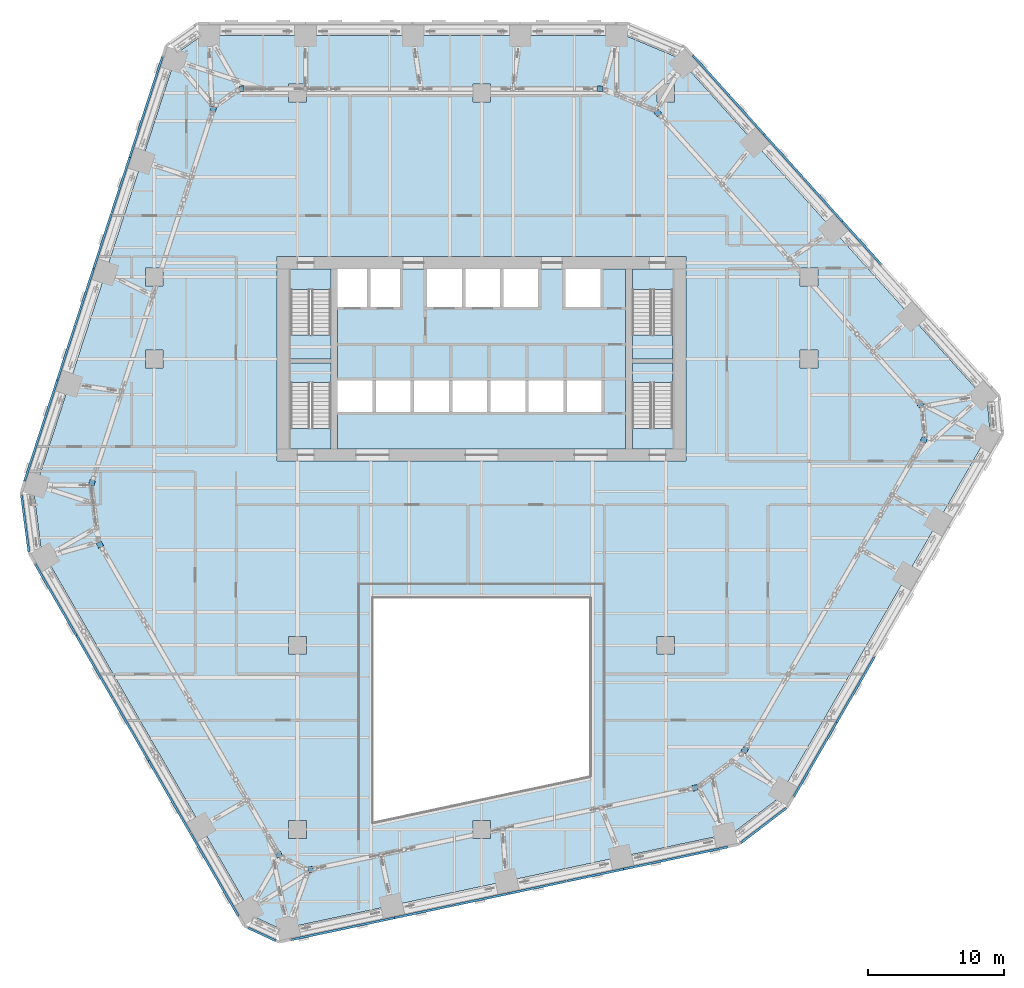
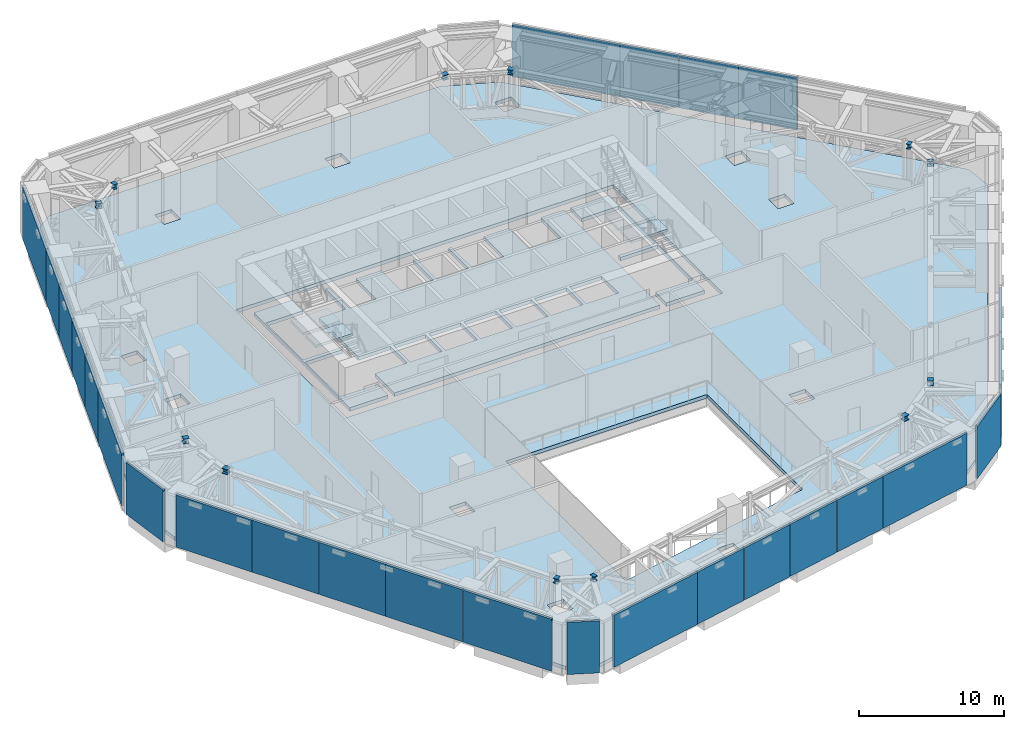
# One storey, part 19 of 36: 26 plates, 12 members, 8 slabs, 12 elements without a shape of their own.
"""IFC4 building model written with IfcOpenShell, lengths in metres."""

from ifc_helpers import new_model, si_unit, direction, frame, origin, origin_2d, place, context, subcontext, project, spatial, polyline, rectangle, i_section, outline, extrude, material, layer, layer_set, material_profile, profile_set, type_object, element, aggregate, save


model = new_model("IFC4")

# Units and contexts
model_context = context("Model", 3, precision=1e-05, world=origin(), true_north=direction((0.0, 1.0)))
body_context = subcontext(model_context, "Body", "Model", "MODEL_VIEW")
ifc_project = project(units=[si_unit("LENGTHUNIT", "METRE"), si_unit("AREAUNIT", "SQUARE_METRE"), si_unit("VOLUMEUNIT", "CUBIC_METRE"), si_unit("PLANEANGLEUNIT", "RADIAN"), si_unit("MASSUNIT", "GRAM", prefix="KILO")], contexts=[model_context])

# Site, building, storey
site_placement = place(None, origin())
site = spatial("IfcSite", under=ifc_project, at=site_placement, CompositionType="ELEMENT")
building_placement = place(site_placement, origin())
building = spatial("IfcBuilding", under=site, at=building_placement, Name="Isthmus Gate Tower", CompositionType="ELEMENT")
storey_placement = place(building_placement, frame((0.0, 0.0, 117.14990234375)))
storey = spatial("IfcBuildingStorey", under=building, at=storey_placement, Name="L28", CompositionType="ELEMENT", Elevation=117.14990234375)

# Members
ifc_material_1 = material(Name="Structural steel ASTM A913 Gr 65", Category="steel")
ifc_material_profile = material_profile(ifc_material_1, i_section(OverallWidth=0.40966796875, OverallDepth=0.42529296875, WebThickness=0.033203125, FlangeThickness=0.052490234375, at=origin_2d()), Name="W14X283")
ifc_profile_set = profile_set([ifc_material_profile], Name="Structural steel ASTM A913 Gr 65")
member_type = type_object("IfcMemberType", Name="TRANSFER TRUSS CHORD W14X283", PredefinedType="CHORD", material=ifc_profile_set)
member_1_placement = place(storey_placement, frame((12.787353515625, 25.68310546875, 3.887451171875), z_axis=(0.668826194331, -0.743418806445, 0.0), x_axis=(0.743418806445, 0.668826194331, 0.0)))
element("IfcMember", 1, at=member_1_placement, inside=storey, type_object=member_type, Name="str-ring01-L28-13", PredefinedType="CHORD", context=body_context, shape_type="SweptSolid", body=[
    extrude(i_section(OverallWidth=0.40966796875, OverallDepth=0.42529296875, WebThickness=0.033203125, FlangeThickness=0.052490234375, at=origin_2d()), origin(), (0.0, 0.0, 1.0), 0.389404296875),
])
member_2_placement = place(storey_placement, frame((32.0966796875, 4.23779296875, 3.887451171875), z_axis=(0.669264945886, -0.743023843634, 0.0), x_axis=(0.743023843634, 0.669264945886, 0.0)))
element("IfcMember", 2, at=member_2_placement, inside=storey, type_object=member_type, Name="str-ring01-L28-18", PredefinedType="CHORD", context=body_context, shape_type="SweptSolid", body=[
    extrude(i_section(OverallWidth=0.40966796875, OverallDepth=0.42529296875, WebThickness=0.033203125, FlangeThickness=0.052490234375, at=origin_2d()), origin(), (0.0, 0.0, 1.0), 0.314453125),
])
member_3_placement = place(storey_placement, frame((32.5126953125, 1.713623046875, 3.887451171875), z_axis=(-0.500090215447, -0.865973311606, 0.0), x_axis=(0.865973311606, -0.500090215447, 0.0)))
element("IfcMember", 3, at=member_3_placement, inside=storey, type_object=member_type, Name="str-ring03-L28-15", PredefinedType="CHORD", context=body_context, shape_type="SweptSolid", body=[
    extrude(i_section(OverallWidth=0.40966796875, OverallDepth=0.42529296875, WebThickness=0.033203125, FlangeThickness=0.052490234375, at=origin_2d()), origin(), (0.0, 0.0, 1.0), 0.32568359375),
])
member_4_placement = place(storey_placement, frame((19.39697265625, -21.00341796875, 3.887451171875), z_axis=(-0.499808815652, -0.866135755986, 0.0), x_axis=(0.866135755986, -0.499808815652, 0.0)))
element("IfcMember", 4, at=member_4_placement, inside=storey, type_object=member_type, Name="str-ring03-L28-20", PredefinedType="CHORD", context=body_context, shape_type="SweptSolid", body=[
    extrude(i_section(OverallWidth=0.40966796875, OverallDepth=0.42529296875, WebThickness=0.033203125, FlangeThickness=0.052490234375, at=origin_2d()), origin(), (0.0, 0.0, 1.0), 0.407958984375),
])
member_5_placement = place(storey_placement, frame((15.8486328125, -23.91552734375, 3.887451171875), z_axis=(-0.978122208358, -0.208031116704, 0.0), x_axis=(0.208031116704, -0.978122208358, 0.0)))
element("IfcMember", 5, at=member_5_placement, inside=storey, type_object=member_type, Name="str-ring05-L28-13", PredefinedType="CHORD", context=body_context, shape_type="SweptSolid", body=[
    extrude(i_section(OverallWidth=0.40966796875, OverallDepth=0.42529296875, WebThickness=0.033203125, FlangeThickness=0.052490234375, at=origin_2d()), origin(), (0.0, 0.0, 1.0), 0.3896484375),
])
member_6_placement = place(storey_placement, frame((-12.378173828125, -29.91552734375, 3.887451171875), z_axis=(-0.978277086413, -0.207301573073, 0.0), x_axis=(0.207301573073, -0.978277086413, 0.0)))
element("IfcMember", 6, at=member_6_placement, inside=storey, type_object=member_type, Name="str-ring05-L28-18", PredefinedType="CHORD", context=body_context, shape_type="SweptSolid", body=[
    extrude(i_section(OverallWidth=0.40966796875, OverallDepth=0.42529296875, WebThickness=0.033203125, FlangeThickness=0.052490234375, at=origin_2d()), origin(), (0.0, 0.0, 1.0), 0.314453125),
])
member_7_placement = place(storey_placement, frame((-14.772216796875, -29.013671875, 3.887451171875), z_axis=(-0.500090215447, 0.865973311606, 0.0), x_axis=(-0.865973311606, -0.500090215447, 0.0)))
element("IfcMember", 7, at=member_7_placement, inside=storey, type_object=member_type, Name="str-ring07-L28-13", PredefinedType="CHORD", context=body_context, shape_type="SweptSolid", body=[
    extrude(i_section(OverallWidth=0.40966796875, OverallDepth=0.42529296875, WebThickness=0.033203125, FlangeThickness=0.052490234375, at=origin_2d()), origin(), (0.0, 0.0, 1.0), 0.32568359375),
])
member_8_placement = place(storey_placement, frame((-27.887939453125, -6.296630859375, 3.887451171875), z_axis=(-0.499808815652, 0.866135755986, 0.0), x_axis=(-0.866135755986, -0.499808815652, 0.0)))
element("IfcMember", 8, at=member_8_placement, inside=storey, type_object=member_type, Name="str-ring07-L28-18", PredefinedType="CHORD", context=body_context, shape_type="SweptSolid", body=[
    extrude(i_section(OverallWidth=0.40966796875, OverallDepth=0.42529296875, WebThickness=0.033203125, FlangeThickness=0.052490234375, at=origin_2d()), origin(), (0.0, 0.0, 1.0), 0.407958984375),
])
member_9_placement = place(storey_placement, frame((-28.6357421875, -1.767333984375, 3.887451171875), z_axis=(0.309071896595, 0.95103867573, 0.0), x_axis=(-0.95103867573, 0.309071896595, 0.0)))
element("IfcMember", 9, at=member_9_placement, inside=storey, type_object=member_type, Name="str-ring09-L28-13", PredefinedType="CHORD", context=body_context, shape_type="SweptSolid", body=[
    extrude(i_section(OverallWidth=0.40966796875, OverallDepth=0.42529296875, WebThickness=0.033203125, FlangeThickness=0.052490234375, at=origin_2d()), origin(), (0.0, 0.0, 1.0), 0.389404296875),
])
member_10_placement = place(storey_placement, frame((-19.718505859375, 25.677490234375, 3.887451171875), z_axis=(0.308770295308, 0.95113663831, 0.0), x_axis=(-0.95113663831, 0.308770295308, 0.0)))
element("IfcMember", 10, at=member_10_placement, inside=storey, type_object=member_type, Name="str-ring09-L28-18", PredefinedType="CHORD", context=body_context, shape_type="SweptSolid", body=[
    extrude(i_section(OverallWidth=0.40966796875, OverallDepth=0.42529296875, WebThickness=0.033203125, FlangeThickness=0.052490234375, at=origin_2d()), origin(), (0.0, 0.0, 1.0), 0.314697265625),
])
member_11_placement = place(storey_placement, frame((-17.740478515625, 27.300048828125, 3.887451171875), z_axis=(1.0, 0.0, 0.0), x_axis=(0.0, 1.0, 0.0)))
element("IfcMember", 11, at=member_11_placement, inside=storey, type_object=member_type, Name="str-ring11-L28-15", PredefinedType="CHORD", context=body_context, shape_type="SweptSolid", body=[
    extrude(i_section(OverallWidth=0.40966796875, OverallDepth=0.42529296875, WebThickness=0.033203125, FlangeThickness=0.052490234375, at=origin_2d()), origin(), (0.0, 0.0, 1.0), 0.32568359375),
])
member_12_placement = place(storey_placement, frame((8.490966796875, 27.300048828125, 3.887451171875), z_axis=(1.0, 0.0, 0.0), x_axis=(0.0, 1.0, 0.0)))
element("IfcMember", 12, at=member_12_placement, inside=storey, type_object=member_type, Name="str-ring11-L28-20", PredefinedType="CHORD", context=body_context, shape_type="SweptSolid", body=[
    extrude(i_section(OverallWidth=0.40966796875, OverallDepth=0.42529296875, WebThickness=0.033203125, FlangeThickness=0.052490234375, at=origin_2d()), origin(), (0.0, 0.0, 1.0), 0.407958984375),
])

# Slabs
ifc_material_2 = material(Name="Concrete f'c 40 MPa", Category="concrete")
ifc_layer_1 = layer(ifc_material_2, 0.300048828125)
ifc_layer_set_1 = layer_set([ifc_layer_1], Name="CORE FLOOR SLAB 300")
slab_type_1 = type_object("IfcSlabType", Name="CORE FLOOR SLAB 300", PredefinedType="FLOOR", material=ifc_layer_set_1)
slab_1_placement = place(storey_placement, frame((0.0, 0.0, -0.2998046875)))
element("IfcSlab", 13, at=slab_1_placement, inside=storey, type_object=slab_type_1, Name="L28 core floor", PredefinedType="FLOOR", context=body_context, shape_type="SweptSolid", body=[
    extrude(outline(polyline([(-11.050048828125, 0.89990234375), (-11.050048828125, 2.402099609375), (-14.0, 2.402099609375), (-14.0, 7.199951171875), (-11.050048828125, 7.199951171875), (-11.050048828125, 7.5), (-14.0, 7.5), (-14.0, 12.597900390625), (-11.050048828125, 12.597900390625), (-11.050048828125, 14.10009765625), (-14.10009765625, 14.10009765625), (-14.10009765625, 0.89990234375), (-11.050048828125, 0.89990234375)])), origin(), (0.0, 0.0, 1.0), 0.2998046875),
])
slab_2_placement = place(storey_placement, frame((0.0, 0.0, -0.2998046875)))
element("IfcSlab", 14, at=slab_2_placement, inside=storey, type_object=slab_type_1, Name="L28 core floor", PredefinedType="FLOOR", context=body_context, shape_type="SweptSolid", body=[
    extrude(outline(polyline([(10.550048828125, 14.10009765625), (8.699951171875, 14.10009765625), (8.699951171875, 11.300048828125), (6.14990234375, 11.300048828125), (6.14990234375, 14.10009765625), (4.14990234375, 14.10009765625), (4.14990234375, 11.300048828125), (1.60009765625, 11.300048828125), (1.60009765625, 14.10009765625), (1.35009765625, 14.10009765625), (1.35009765625, 11.300048828125), (-1.199951171875, 11.300048828125), (-1.199951171875, 14.10009765625), (-1.449951171875, 14.10009765625), (-1.449951171875, 11.300048828125), (-4.0, 11.300048828125), (-4.0, 14.10009765625), (-6.0, 14.10009765625), (-6.0, 11.300048828125), (-8.14990234375, 11.300048828125), (-8.14990234375, 14.10009765625), (-8.39990234375, 14.10009765625), (-8.39990234375, 11.300048828125), (-10.550048828125, 11.300048828125), (-10.550048828125, 5.89990234375), (-8.0, 5.89990234375), (-8.0, 3.60009765625), (-10.550048828125, 3.60009765625), (-10.550048828125, 0.89990234375), (10.550048828125, 0.89990234375), (10.550048828125, 14.10009765625)]), holes=[polyline([(-5.199951171875, 5.89990234375), (-5.199951171875, 3.60009765625), (-7.75, 3.60009765625), (-7.75, 5.89990234375), (-5.199951171875, 5.89990234375)]), polyline([(-2.39990234375, 5.89990234375), (-2.39990234375, 3.60009765625), (-4.949951171875, 3.60009765625), (-4.949951171875, 5.89990234375), (-2.39990234375, 5.89990234375)]), polyline([(0.39990234375, 5.89990234375), (0.39990234375, 3.60009765625), (-2.14990234375, 3.60009765625), (-2.14990234375, 5.89990234375), (0.39990234375, 5.89990234375)]), polyline([(3.199951171875, 5.89990234375), (3.199951171875, 3.60009765625), (0.64990234375, 3.60009765625), (0.64990234375, 5.89990234375), (3.199951171875, 5.89990234375)]), polyline([(6.0, 5.89990234375), (6.0, 3.60009765625), (3.449951171875, 3.60009765625), (3.449951171875, 5.89990234375), (6.0, 5.89990234375)]), polyline([(8.800048828125, 5.89990234375), (8.800048828125, 3.60009765625), (6.25, 3.60009765625), (6.25, 5.89990234375), (8.800048828125, 5.89990234375)])]), origin(), (0.0, 0.0, 1.0), 0.2998046875),
])
slab_3_placement = place(storey_placement, frame((0.0, 0.0, -0.2998046875)))
element("IfcSlab", 15, at=slab_3_placement, inside=storey, type_object=slab_type_1, Name="L28 core floor", PredefinedType="FLOOR", context=body_context, shape_type="SweptSolid", body=[
    extrude(outline(polyline([(11.050048828125, 14.10009765625), (11.050048828125, 12.597900390625), (14.0, 12.597900390625), (14.0, 7.5), (11.050048828125, 7.5), (11.050048828125, 7.199951171875), (14.0, 7.199951171875), (14.0, 2.402099609375), (11.050048828125, 2.402099609375), (11.050048828125, 0.89990234375), (14.10009765625, 0.89990234375), (14.10009765625, 14.10009765625), (11.050048828125, 14.10009765625)])), origin(), (0.0, 0.0, 1.0), 0.2998046875),
])

# Curtain wall, plates
ifc_material_3 = material(Name="Aluminium, pale champagne anodised", Category="aluminium")
ifc_layer_2 = layer(ifc_material_3, 0.199951171875)
ifc_layer_set_2 = layer_set([ifc_layer_2], Name="CW-2 LOUVRE CURTAIN WALL 200 DEEP")
curtain_wall_type = type_object("IfcCurtainWallType", Name="CW-2 LOUVRE CURTAIN WALL 200 DEEP", PredefinedType="NOTDEFINED", material=ifc_layer_set_2)
curtain_wall_1_placement = place(storey_placement, origin())
curtain_wall_1 = element("IfcCurtainWall", 16, at=curtain_wall_1_placement, inside=storey, type_object=curtain_wall_type, Name="CW-2 NW L28", PredefinedType="NOTDEFINED")
ifc_material_4 = material(Name="Aluminium louvre blades, pale champagne anodised", Category="aluminium")
ifc_layer_3 = layer(ifc_material_4, 0.159912109375)
ifc_layer_set_3 = layer_set([ifc_layer_3], Name="CW-2 LOUVRE PANEL 160")
plate_type = type_object("IfcPlateType", Name="CW-2 LOUVRE PANEL 160", PredefinedType="CURTAIN_PANEL", material=ifc_layer_set_3)
plate_1_placement = place(storey_placement, frame((-24.603271484375, 25.95849609375, 0.000244140625), z_axis=(0.0, 0.0, 1.0), x_axis=(-0.309016994375, -0.951056516295, 0.0)))
plate_1 = element("IfcPlate", 17, at=plate_1_placement, type_object=plate_type, Name="CW-2 louvre panel", PredefinedType="CURTAIN_PANEL", context=body_context, shape_type="SweptSolid", body=[
    extrude(rectangle(XDim=7.729248046875, YDim=0.159912109375, at=origin_2d()), origin(), (0.0, 0.0, 1.0), 4.3798828125),
])
plate_2_placement = place(storey_placement, frame((-26.4609375, 20.24072265625, 0.000244140625), z_axis=(0.0, 0.0, 1.0), x_axis=(-0.309016994375, -0.951056516295, 0.0)))
plate_2 = element("IfcPlate", 18, at=plate_2_placement, type_object=plate_type, Name="CW-2 louvre panel", PredefinedType="CURTAIN_PANEL", context=body_context, shape_type="SweptSolid", body=[
    extrude(rectangle(XDim=4.294677734375, YDim=0.159912109375, at=origin_2d()), origin(), (0.0, 0.0, 1.0), 4.3798828125),
])
plate_3_placement = place(storey_placement, frame((-27.79736328125, 16.1279296875, 0.000244140625), z_axis=(0.0, 0.0, 1.0), x_axis=(-0.309016994375, -0.951056516295, 0.0)))
plate_3 = element("IfcPlate", 19, at=plate_3_placement, type_object=plate_type, Name="CW-2 louvre panel", PredefinedType="CURTAIN_PANEL", context=body_context, shape_type="SweptSolid", body=[
    extrude(rectangle(XDim=4.234619140625, YDim=0.159912109375, at=origin_2d()), origin(), (0.0, 0.0, 1.0), 4.3798828125),
])
plate_4_placement = place(storey_placement, frame((-29.115234375, 12.07177734375, 0.000244140625), z_axis=(0.0, 0.0, 1.0), x_axis=(-0.309016994375, -0.951056516295, 0.0)))
plate_4 = element("IfcPlate", 20, at=plate_4_placement, type_object=plate_type, Name="CW-2 louvre panel", PredefinedType="CURTAIN_PANEL", context=body_context, shape_type="SweptSolid", body=[
    extrude(rectangle(XDim=4.294677734375, YDim=0.159912109375, at=origin_2d()), origin(), (0.0, 0.0, 1.0), 4.3798828125),
])
plate_5_placement = place(storey_placement, frame((-30.45166015625, 7.958984375, 0.000244140625), z_axis=(0.0, 0.0, 1.0), x_axis=(-0.309016994375, -0.951056516295, 0.0)))
plate_5 = element("IfcPlate", 21, at=plate_5_placement, type_object=plate_type, Name="CW-2 louvre panel", PredefinedType="CURTAIN_PANEL", context=body_context, shape_type="SweptSolid", body=[
    extrude(rectangle(XDim=4.234619140625, YDim=0.159912109375, at=origin_2d()), origin(), (0.0, 0.0, 1.0), 4.3798828125),
])
plate_6_placement = place(storey_placement, frame((-32.3095703125, 2.2412109375, 0.000244140625), z_axis=(0.0, 0.0, 1.0), x_axis=(-0.309016994375, -0.951056516295, 0.0)))
plate_6 = element("IfcPlate", 22, at=plate_6_placement, type_object=plate_type, Name="CW-2 louvre panel", PredefinedType="CURTAIN_PANEL", context=body_context, shape_type="SweptSolid", body=[
    extrude(rectangle(XDim=7.789306640625, YDim=0.159912109375, at=origin_2d()), origin(), (0.0, 0.0, 1.0), 4.3798828125),
])
aggregate(curtain_wall_1, [plate_1, plate_2, plate_3, plate_4, plate_5, plate_6])

# Curtain wall, plate
curtain_wall_2_placement = place(storey_placement, origin())
curtain_wall_2 = element("IfcCurtainWall", 23, at=curtain_wall_2_placement, inside=storey, type_object=curtain_wall_type, Name="CW-2 NW-SW L28", PredefinedType="NOTDEFINED")
plate_7_placement = place(storey_placement, frame((-33.468994140625, -4.550537109375, 0.000244140625), z_axis=(0.0, 0.0, 1.0), x_axis=(0.129164534, -0.991623175988, 0.0)))
plate_7 = element("IfcPlate", 24, at=plate_7_placement, type_object=plate_type, Name="CW-2 louvre panel", PredefinedType="CURTAIN_PANEL", context=body_context, shape_type="SweptSolid", body=[
    extrude(rectangle(XDim=4.181396484375, YDim=0.159912109375, at=origin_2d()), origin(), (0.0, 0.0, 1.0), 4.3798828125),
])
aggregate(curtain_wall_2, [plate_7])

# Curtain wall, plates
curtain_wall_3_placement = place(storey_placement, origin())
curtain_wall_3 = element("IfcCurtainWall", 25, at=curtain_wall_3_placement, inside=storey, type_object=curtain_wall_type, Name="CW-2 SW L28", PredefinedType="NOTDEFINED")
plate_8_placement = place(storey_placement, frame((-31.2255859375, -10.15576171875, 0.000244140625), z_axis=(0.0, 0.0, 1.0), x_axis=(0.5, -0.866025403784, 0.0)))
plate_8 = element("IfcPlate", 26, at=plate_8_placement, type_object=plate_type, Name="CW-2 louvre panel", PredefinedType="CURTAIN_PANEL", context=body_context, shape_type="SweptSolid", body=[
    extrude(rectangle(XDim=6.048583984375, YDim=0.159912109375, at=origin_2d()), origin(), (0.0, 0.0, 1.0), 4.3798828125),
])
plate_9_placement = place(storey_placement, frame((-28.38623046875, -15.07373046875, 0.000244140625), z_axis=(0.0, 0.0, 1.0), x_axis=(0.5, -0.866025403784, 0.0)))
plate_9 = element("IfcPlate", 27, at=plate_9_placement, type_object=plate_type, Name="CW-2 louvre panel", PredefinedType="CURTAIN_PANEL", context=body_context, shape_type="SweptSolid", body=[
    extrude(rectangle(XDim=5.30859375, YDim=0.159912109375, at=origin_2d()), origin(), (0.0, 0.0, 1.0), 4.3798828125),
])
plate_10_placement = place(storey_placement, frame((-25.716796875, -19.697021484375, 0.000244140625), z_axis=(0.0, 0.0, 1.0), x_axis=(0.5, -0.866025403784, 0.0)))
plate_10 = element("IfcPlate", 28, at=plate_10_placement, type_object=plate_type, Name="CW-2 louvre panel", PredefinedType="CURTAIN_PANEL", context=body_context, shape_type="SweptSolid", body=[
    extrude(rectangle(XDim=5.24853515625, YDim=0.159912109375, at=origin_2d()), origin(), (0.0, 0.0, 1.0), 4.3798828125),
])
plate_11_placement = place(storey_placement, frame((-22.877685546875, -24.614990234375, 0.000244140625), z_axis=(0.0, 0.0, 1.0), x_axis=(0.5, -0.866025403784, 0.0)))
plate_11 = element("IfcPlate", 29, at=plate_11_placement, type_object=plate_type, Name="CW-2 louvre panel", PredefinedType="CURTAIN_PANEL", context=body_context, shape_type="SweptSolid", body=[
    extrude(rectangle(XDim=6.108642578125, YDim=0.159912109375, at=origin_2d()), origin(), (0.0, 0.0, 1.0), 4.3798828125),
])
plate_12_placement = place(storey_placement, frame((-19.574462890625, -30.3359375, 0.000244140625), z_axis=(0.0, 0.0, 1.0), x_axis=(0.5, -0.866025403784, 0.0)))
plate_12 = element("IfcPlate", 30, at=plate_12_placement, type_object=plate_type, Name="CW-2 louvre panel", PredefinedType="CURTAIN_PANEL", context=body_context, shape_type="SweptSolid", body=[
    extrude(rectangle(XDim=6.983642578125, YDim=0.159912109375, at=origin_2d()), origin(), (0.0, 0.0, 1.0), 4.3798828125),
])
aggregate(curtain_wall_3, [plate_8, plate_9, plate_10, plate_11, plate_12])

# Curtain wall, plate
curtain_wall_4_placement = place(storey_placement, origin())
curtain_wall_4 = element("IfcCurtainWall", 31, at=curtain_wall_4_placement, inside=storey, type_object=curtain_wall_type, Name="CW-2 SW-S L28", PredefinedType="NOTDEFINED")
plate_13_placement = place(storey_placement, frame((-16.104736328125, -34.690673828125, 0.000244140625), z_axis=(0.0, 0.0, 1.0), x_axis=(0.907256261367, -0.420578264073, 0.0)))
plate_13 = element("IfcPlate", 32, at=plate_13_placement, type_object=plate_type, Name="CW-2 louvre panel", PredefinedType="CURTAIN_PANEL", context=body_context, shape_type="SweptSolid", body=[
    extrude(rectangle(XDim=2.258544921875, YDim=0.159912109375, at=origin_2d()), origin(), (0.0, 0.0, 1.0), 4.3798828125),
])
aggregate(curtain_wall_4, [plate_13])

# Curtain wall, plates
curtain_wall_5_placement = place(storey_placement, origin())
curtain_wall_5 = element("IfcCurtainWall", 33, at=curtain_wall_5_placement, inside=storey, type_object=curtain_wall_type, Name="CW-2 S L28", PredefinedType="NOTDEFINED")
plate_14_placement = place(storey_placement, frame((-10.17919921875, -34.286376953125, 0.000244140625), z_axis=(0.0, 0.0, 1.0), x_axis=(0.978147600734, 0.207911690818, 0.0)))
plate_14 = element("IfcPlate", 34, at=plate_14_placement, type_object=plate_type, Name="CW-2 louvre panel", PredefinedType="CURTAIN_PANEL", context=body_context, shape_type="SweptSolid", body=[
    extrude(rectangle(XDim=7.729248046875, YDim=0.159912109375, at=origin_2d()), origin(), (0.0, 0.0, 1.0), 4.3798828125),
])
plate_15_placement = place(storey_placement, frame((-4.298583984375, -33.036376953125, 0.000244140625), z_axis=(0.0, 0.0, 1.0), x_axis=(0.978147600734, 0.207911690818, 0.0)))
plate_15 = element("IfcPlate", 35, at=plate_15_placement, type_object=plate_type, Name="CW-2 louvre panel", PredefinedType="CURTAIN_PANEL", context=body_context, shape_type="SweptSolid", body=[
    extrude(rectangle(XDim=4.294677734375, YDim=0.159912109375, at=origin_2d()), origin(), (0.0, 0.0, 1.0), 4.3798828125),
])
plate_16_placement = place(storey_placement, frame((-0.068359375, -32.13720703125, 0.000244140625), z_axis=(0.0, 0.0, 1.0), x_axis=(0.978147600734, 0.207911690818, 0.0)))
plate_16 = element("IfcPlate", 36, at=plate_16_placement, type_object=plate_type, Name="CW-2 louvre panel", PredefinedType="CURTAIN_PANEL", context=body_context, shape_type="SweptSolid", body=[
    extrude(rectangle(XDim=4.234619140625, YDim=0.159912109375, at=origin_2d()), origin(), (0.0, 0.0, 1.0), 4.3798828125),
])
plate_17_placement = place(storey_placement, frame((4.10302734375, -31.25048828125, 0.000244140625), z_axis=(0.0, 0.0, 1.0), x_axis=(0.978147600734, 0.207911690818, 0.0)))
plate_17 = element("IfcPlate", 37, at=plate_17_placement, type_object=plate_type, Name="CW-2 louvre panel", PredefinedType="CURTAIN_PANEL", context=body_context, shape_type="SweptSolid", body=[
    extrude(rectangle(XDim=4.294677734375, YDim=0.159912109375, at=origin_2d()), origin(), (0.0, 0.0, 1.0), 4.3798828125),
])
plate_18_placement = place(storey_placement, frame((8.333251953125, -30.351318359375, 0.000244140625), z_axis=(0.0, 0.0, 1.0), x_axis=(0.978147600734, 0.207911690818, 0.0)))
plate_18 = element("IfcPlate", 38, at=plate_18_placement, type_object=plate_type, Name="CW-2 louvre panel", PredefinedType="CURTAIN_PANEL", context=body_context, shape_type="SweptSolid", body=[
    extrude(rectangle(XDim=4.234619140625, YDim=0.159912109375, at=origin_2d()), origin(), (0.0, 0.0, 1.0), 4.3798828125),
])
plate_19_placement = place(storey_placement, frame((14.2138671875, -29.101318359375, 0.000244140625), z_axis=(0.0, 0.0, 1.0), x_axis=(0.978147600734, 0.207911690818, 0.0)))
plate_19 = element("IfcPlate", 39, at=plate_19_placement, type_object=plate_type, Name="CW-2 louvre panel", PredefinedType="CURTAIN_PANEL", context=body_context, shape_type="SweptSolid", body=[
    extrude(rectangle(XDim=7.789306640625, YDim=0.159912109375, at=origin_2d()), origin(), (0.0, 0.0, 1.0), 4.3798828125),
])
aggregate(curtain_wall_5, [plate_14, plate_15, plate_16, plate_17, plate_18, plate_19])

# Curtain wall, plate
curtain_wall_6_placement = place(storey_placement, origin())
curtain_wall_6 = element("IfcCurtainWall", 40, at=curtain_wall_6_placement, inside=storey, type_object=curtain_wall_type, Name="CW-2 S-SE L28", PredefinedType="NOTDEFINED")
plate_20_placement = place(storey_placement, frame((20.67529296875, -26.709716796875, 0.000244140625), z_axis=(0.0, 0.0, 1.0), x_axis=(0.794188594387, 0.607671355706, 0.0)))
plate_20 = element("IfcPlate", 41, at=plate_20_placement, type_object=plate_type, Name="CW-2 louvre panel", PredefinedType="CURTAIN_PANEL", context=body_context, shape_type="SweptSolid", body=[
    extrude(rectangle(XDim=4.181396484375, YDim=0.159912109375, at=origin_2d()), origin(), (0.0, 0.0, 1.0), 4.3798828125),
])
aggregate(curtain_wall_6, [plate_20])

# Curtain wall, plates
curtain_wall_7_placement = place(storey_placement, origin())
curtain_wall_7 = element("IfcCurtainWall", 42, at=curtain_wall_7_placement, inside=storey, type_object=curtain_wall_type, Name="CW-2 SE L28", PredefinedType="NOTDEFINED")
plate_21_placement = place(storey_placement, frame((24.46533203125, -21.864501953125, 0.000244140625), z_axis=(0.0, 0.0, 1.0), x_axis=(0.5, 0.866025403784, 0.0)))
plate_21 = element("IfcPlate", 43, at=plate_21_placement, type_object=plate_type, Name="CW-2 louvre panel", PredefinedType="CURTAIN_PANEL", context=body_context, shape_type="SweptSolid", body=[
    extrude(rectangle(XDim=6.278564453125, YDim=0.159912109375, at=origin_2d()), origin(), (0.0, 0.0, 1.0), 4.3798828125),
])
plate_22_placement = place(storey_placement, frame((27.419677734375, -16.74755859375, 0.000244140625), z_axis=(0.0, 0.0, 1.0), x_axis=(0.5, 0.866025403784, 0.0)))
plate_22 = element("IfcPlate", 44, at=plate_22_placement, type_object=plate_type, Name="CW-2 louvre panel", PredefinedType="CURTAIN_PANEL", context=body_context, shape_type="SweptSolid", body=[
    extrude(rectangle(XDim=5.53857421875, YDim=0.159912109375, at=origin_2d()), origin(), (0.0, 0.0, 1.0), 4.3798828125),
])
aggregate(curtain_wall_7, [plate_21, plate_22])

curtain_wall_8_placement = place(storey_placement, origin())
curtain_wall_8 = element("IfcCurtainWall", 45, at=curtain_wall_8_placement, inside=storey, type_object=curtain_wall_type, Name="CW-2 NE L28", PredefinedType="NOTDEFINED")
plate_23_placement = place(storey_placement, frame((27.86572265625, 16.00927734375, 0.000244140625), z_axis=(0.0, 0.0, 1.0), x_axis=(-0.669130606359, 0.743144825477, 0.0)))
plate_23 = element("IfcPlate", 46, at=plate_23_placement, type_object=plate_type, Name="CW-2 louvre panel", PredefinedType="CURTAIN_PANEL", context=body_context, shape_type="SweptSolid", body=[
    extrude(rectangle(XDim=4.234619140625, YDim=0.159912109375, at=origin_2d()), origin(), (0.0, 0.0, 1.0), 4.3798828125),
])
plate_24_placement = place(storey_placement, frame((25.01220703125, 19.1787109375, 0.000244140625), z_axis=(0.0, 0.0, 1.0), x_axis=(-0.669130606359, 0.743144825477, 0.0)))
plate_24 = element("IfcPlate", 47, at=plate_24_placement, type_object=plate_type, Name="CW-2 louvre panel", PredefinedType="CURTAIN_PANEL", context=body_context, shape_type="SweptSolid", body=[
    extrude(rectangle(XDim=4.294677734375, YDim=0.159912109375, at=origin_2d()), origin(), (0.0, 0.0, 1.0), 4.3798828125),
])
plate_25_placement = place(storey_placement, frame((22.118408203125, 22.392578125, 0.000244140625), z_axis=(0.0, 0.0, 1.0), x_axis=(-0.669130606359, 0.743144825477, 0.0)))
plate_25 = element("IfcPlate", 48, at=plate_25_placement, type_object=plate_type, Name="CW-2 louvre panel", PredefinedType="CURTAIN_PANEL", context=body_context, shape_type="SweptSolid", body=[
    extrude(rectangle(XDim=4.234619140625, YDim=0.159912109375, at=origin_2d()), origin(), (0.0, 0.0, 1.0), 4.3798828125),
])
plate_26_placement = place(storey_placement, frame((18.095703125, 26.8603515625, 0.000244140625), z_axis=(0.0, 0.0, 1.0), x_axis=(-0.669130606359, 0.743144825477, 0.0)))
plate_26 = element("IfcPlate", 49, at=plate_26_placement, type_object=plate_type, Name="CW-2 louvre panel", PredefinedType="CURTAIN_PANEL", context=body_context, shape_type="SweptSolid", body=[
    extrude(rectangle(XDim=7.789306640625, YDim=0.159912109375, at=origin_2d()), origin(), (0.0, 0.0, 1.0), 4.3798828125),
])
aggregate(curtain_wall_8, [plate_23, plate_24, plate_25, plate_26])

# Slab
ifc_material_5 = material(Name="Concrete f'c 40 MPa", Category="concrete")
ifc_layer_4 = layer(ifc_material_5, 0.300048828125)
ifc_layer_set_4 = layer_set([ifc_layer_4], Name="PLANT FLOOR SLAB 300")
slab_type_2 = type_object("IfcSlabType", Name="PLANT FLOOR SLAB 300", PredefinedType="FLOOR", material=ifc_layer_set_4)
slab_4_placement = place(storey_placement, frame((0.0, 0.0, -0.2998046875)))
element("IfcSlab", 50, at=slab_4_placement, inside=storey, type_object=slab_type_2, Name="str-slab-L28-1", PredefinedType="FLOOR", context=body_context, shape_type="SweptSolid", body=[
    extrude(outline(polyline([(14.391357421875, 29.599365234375), (37.081787109375, 4.399169921875), (37.281494140625, 2.17333984375), (21.748779296875, -24.729736328125), (18.438232421875, -27.262939453125), (-14.73095703125, -34.313232421875), (-16.758544921875, -33.373291015625), (-32.291015625, -6.47021484375), (-32.82958984375, -2.33642578125), (-22.3505859375, 29.9140625), (-20.52294921875, 31.199951171875), (10.542236328125, 31.199951171875), (14.391357421875, 29.599365234375)]), holes=[polyline([(-14.14990234375, -27.64990234375), (-12.85009765625, -27.64990234375), (-12.85009765625, -26.35009765625), (-14.14990234375, -26.35009765625), (-14.14990234375, -27.64990234375)]), polyline([(-0.64990234375, -26.35009765625), (-0.64990234375, -27.64990234375), (0.64990234375, -27.64990234375), (0.64990234375, -26.35009765625), (-0.64990234375, -26.35009765625)]), polyline([(-14.14990234375, -12.85009765625), (-14.14990234375, -14.14990234375), (-12.85009765625, -14.14990234375), (-12.85009765625, -12.85009765625), (-14.14990234375, -12.85009765625)]), polyline([(-24.64990234375, 8.14990234375), (-24.64990234375, 6.85009765625), (-23.35009765625, 6.85009765625), (-23.35009765625, 8.14990234375), (-24.64990234375, 8.14990234375)]), polyline([(-23.35009765625, 14.14990234375), (-24.64990234375, 14.14990234375), (-24.64990234375, 12.85009765625), (-23.35009765625, 12.85009765625), (-23.35009765625, 14.14990234375)]), polyline([(-14.14990234375, 27.64990234375), (-14.14990234375, 26.35009765625), (-12.85009765625, 26.35009765625), (-12.85009765625, 27.64990234375), (-14.14990234375, 27.64990234375)]), polyline([(-0.64990234375, 27.64990234375), (-0.64990234375, 26.35009765625), (0.64990234375, 26.35009765625), (0.64990234375, 27.64990234375), (-0.64990234375, 27.64990234375)]), polyline([(8.0, -23.143310546875), (8.0, -10.0), (-8.0, -10.0), (-8.0, -26.544189453125), (8.0, -23.143310546875)]), polyline([(14.14990234375, -12.85009765625), (12.85009765625, -12.85009765625), (12.85009765625, -14.14990234375), (14.14990234375, -14.14990234375), (14.14990234375, -12.85009765625)]), polyline([(15.0, 15.0), (-15.0, 15.0), (-15.0, 0.0), (15.0, 0.0), (15.0, 15.0)]), polyline([(24.64990234375, 8.14990234375), (23.35009765625, 8.14990234375), (23.35009765625, 6.85009765625), (24.64990234375, 6.85009765625), (24.64990234375, 8.14990234375)]), polyline([(23.35009765625, 14.14990234375), (23.35009765625, 12.85009765625), (24.64990234375, 12.85009765625), (24.64990234375, 14.14990234375), (23.35009765625, 14.14990234375)]), polyline([(14.14990234375, 27.64990234375), (12.85009765625, 27.64990234375), (12.85009765625, 26.35009765625), (14.14990234375, 26.35009765625), (14.14990234375, 27.64990234375)])]), origin(), (0.0, 0.0, 1.0), 0.2998046875),
])

# Stair, slab
ifc_material_6 = material(Name="Concrete f'c 40 MPa", Category="concrete")
stair_type = type_object("IfcStairType", Name="CORE STAIR 26 RISERS", PredefinedType="HALF_TURN_STAIR", material=ifc_material_6)
stair_1_placement = place(storey_placement, origin())
stair_1 = element("IfcStair", 51, at=stair_1_placement, inside=storey, type_object=stair_type, Name="L28 Exit Stair 1", PredefinedType="HALF_TURN_STAIR")
ifc_material_7 = material(Name="Concrete f'c 40 MPa", Category="concrete")
ifc_layer_5 = layer(ifc_material_7, 0.199951171875)
ifc_layer_set_5 = layer_set([ifc_layer_5])
slab_type_3 = type_object("IfcSlabType", Name="STAIR LANDING RC 200", PredefinedType="LANDING", material=ifc_layer_set_5)
slab_5_placement = place(storey_placement, frame((0.0, 0.0, 2.050048828125)))
slab_5 = element("IfcSlab", 52, at=slab_5_placement, type_object=slab_type_3, Name="ST1 landing 1", PredefinedType="LANDING", context=body_context, shape_type="SweptSolid", body=[
    extrude(outline(polyline([(-14.0, 9.239990234375), (-14.0, 7.5), (-11.050048828125, 7.5), (-11.050048828125, 9.239990234375), (-14.0, 9.239990234375)])), origin(), (0.0, 0.0, 1.0), 0.199951171875),
])
aggregate(stair_1, [slab_5])

stair_2_placement = place(storey_placement, origin())
stair_2 = element("IfcStair", 53, at=stair_2_placement, inside=storey, type_object=stair_type, Name="L28 Exit Stair 2", PredefinedType="HALF_TURN_STAIR")
slab_6_placement = place(storey_placement, frame((0.0, 0.0, 2.050048828125)))
slab_6 = element("IfcSlab", 54, at=slab_6_placement, type_object=slab_type_3, Name="ST2 landing 1", PredefinedType="LANDING", context=body_context, shape_type="SweptSolid", body=[
    extrude(outline(polyline([(11.050048828125, 9.239990234375), (11.050048828125, 7.5), (14.0, 7.5), (14.0, 9.239990234375), (11.050048828125, 9.239990234375)])), origin(), (0.0, 0.0, 1.0), 0.199951171875),
])
aggregate(stair_2, [slab_6])

stair_3_placement = place(storey_placement, origin())
stair_3 = element("IfcStair", 55, at=stair_3_placement, inside=storey, type_object=stair_type, Name="L28 Exit Stair 7", PredefinedType="HALF_TURN_STAIR")
slab_7_placement = place(storey_placement, frame((0.0, 0.0, 2.050048828125)))
slab_7 = element("IfcSlab", 56, at=slab_7_placement, type_object=slab_type_3, Name="ST7 landing 1", PredefinedType="LANDING", context=body_context, shape_type="SweptSolid", body=[
    extrude(outline(polyline([(-11.050048828125, 5.760009765625), (-11.050048828125, 7.199951171875), (-14.0, 7.199951171875), (-14.0, 5.760009765625), (-11.050048828125, 5.760009765625)])), origin(), (0.0, 0.0, 1.0), 0.199951171875),
])
aggregate(stair_3, [slab_7])

stair_4_placement = place(storey_placement, origin())
stair_4 = element("IfcStair", 57, at=stair_4_placement, inside=storey, type_object=stair_type, Name="L28 Exit Stair 8", PredefinedType="HALF_TURN_STAIR")
slab_8_placement = place(storey_placement, frame((0.0, 0.0, 2.050048828125)))
slab_8 = element("IfcSlab", 58, at=slab_8_placement, type_object=slab_type_3, Name="ST8 landing 1", PredefinedType="LANDING", context=body_context, shape_type="SweptSolid", body=[
    extrude(outline(polyline([(14.0, 5.760009765625), (14.0, 7.199951171875), (11.050048828125, 7.199951171875), (11.050048828125, 5.760009765625), (14.0, 5.760009765625)])), origin(), (0.0, 0.0, 1.0), 0.199951171875),
])
aggregate(stair_4, [slab_8])

save(model, "model.ifc")
